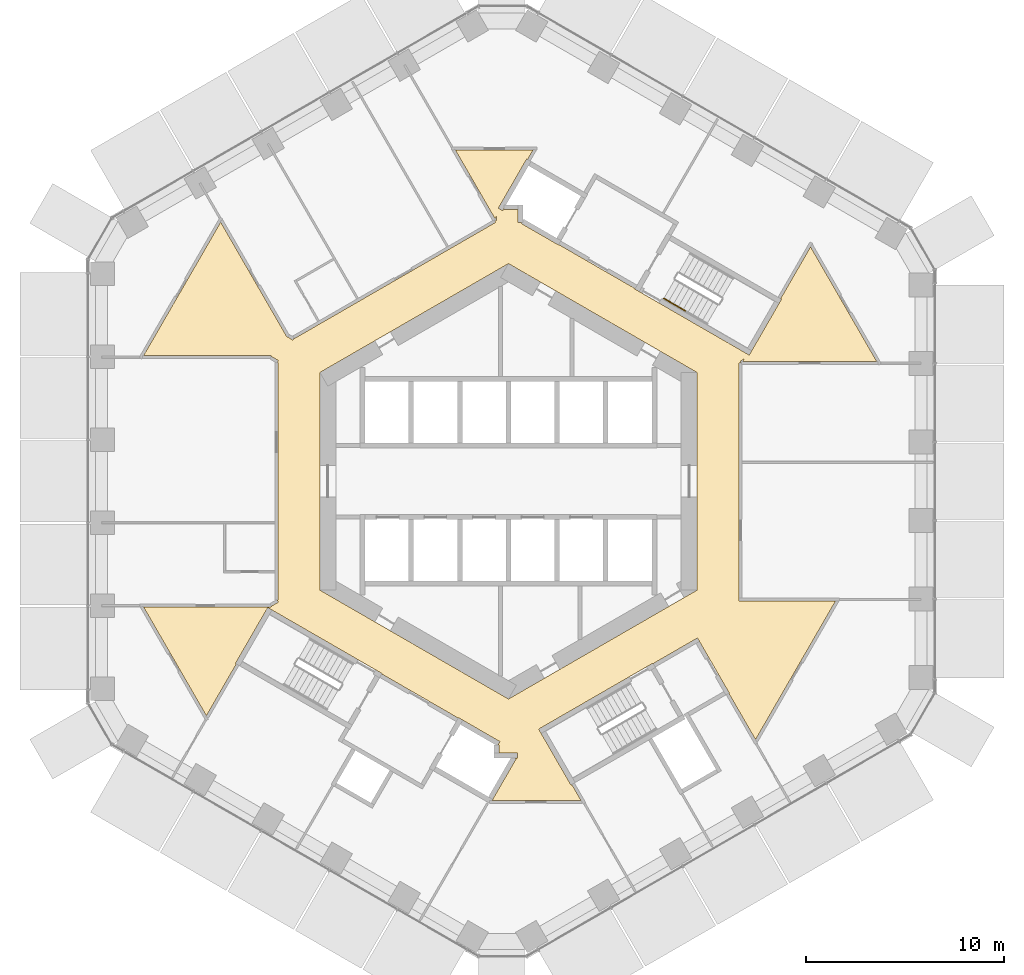
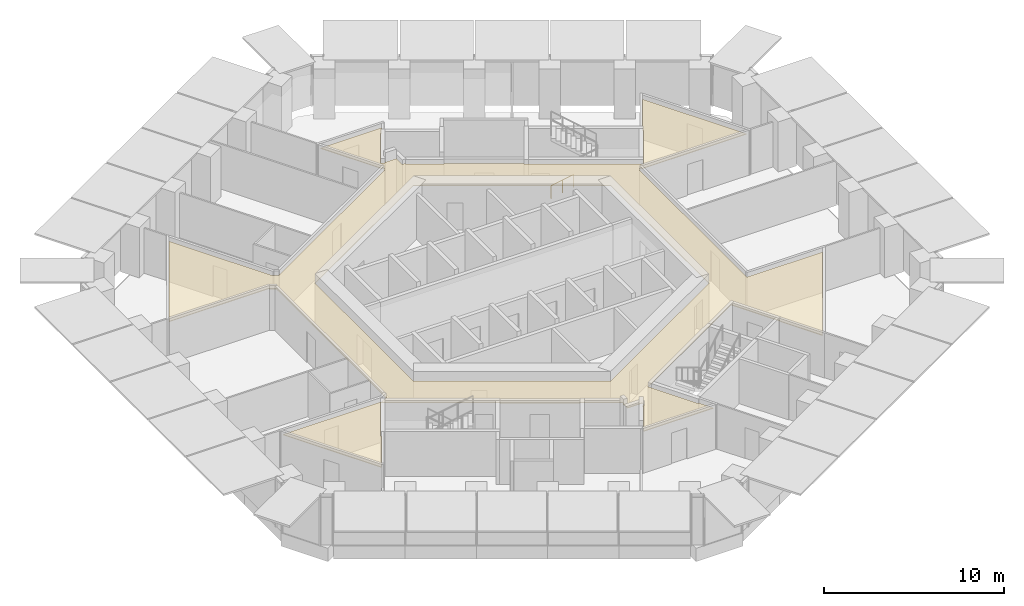
# One storey, part 18 of 19: 1 covering, 1 railing.
"""IFC4 building model written with IfcOpenShell, lengths in metres."""

from ifc_helpers import new_model, si_unit, direction, frame, origin, origin_2d, place, context, subcontext, project, spatial, polyline, circle, outline, extrude, material, layer, layer_set, type_object, element, save


model = new_model("IFC4")

# Units and contexts
model_context = context("Model", 3, precision=1e-05, world=origin(), true_north=direction((0.0, 1.0)))
body_context = subcontext(model_context, "Body", "Model", "MODEL_VIEW")
ifc_project = project(units=[si_unit("LENGTHUNIT", "METRE"), si_unit("AREAUNIT", "SQUARE_METRE"), si_unit("VOLUMEUNIT", "CUBIC_METRE"), si_unit("PLANEANGLEUNIT", "RADIAN"), si_unit("MASSUNIT", "GRAM", prefix="KILO")], contexts=[model_context])

# Site, building, storey
site_placement = place(None, origin())
site = spatial("IfcSite", under=ifc_project, at=site_placement, CompositionType="ELEMENT")
building_placement = place(site_placement, origin())
building = spatial("IfcBuilding", under=site, at=building_placement, Name="Ayvan Gate Tower", CompositionType="ELEMENT")
storey_placement = place(building_placement, frame((0.0, 0.0, 42.5)))
storey = spatial("IfcBuildingStorey", under=building, at=storey_placement, Name="L10", CompositionType="ELEMENT", Elevation=42.5)

# Covering
ifc_material_1 = material(Name="Plasterboard suspended ceiling")
ifc_layer = layer(ifc_material_1, 0.050048828125)
ifc_layer_set = layer_set([ifc_layer], Name="Plasterboard suspended ceiling")
covering_type = type_object("IfcCoveringType", Name="CT-SUSP-50", PredefinedType="CEILING", material=ifc_layer_set)
covering_placement = place(storey_placement, frame((0.0, 0.0, 2.699951171875)))
element("IfcCovering", 1, at=covering_placement, inside=storey, type_object=covering_type, Name="Ceiling Ring Corridor L10", PredefinedType="CEILING", context=body_context, shape_type="SweptSolid", body=[
    extrude(outline(polyline([(-11.973876953125, -6.306640625), (-11.597412109375, -6.089599609375), (-11.656494140625, -5.9873046875), (-11.625, -5.9873046875), (-11.625, 5.9873046875), (-11.656494140625, 5.9873046875), (-11.597412109375, 6.089599609375), (-11.9462890625, 6.291015625), (-11.973876953125, 6.24365234375), (-11.973876953125, 6.338623046875), (-18.38330078125, 6.338623046875), (-14.5029296875, 13.059326171875), (-11.16015625, 7.26953125), (-11.134521484375, 7.2841796875), (-10.87060546875, 7.116943359375), (-10.80615234375, 7.218505859375), (-10.791259765625, 7.193115234375), (-0.655029296875, 13.045166015625), (-0.692626953125, 13.110107421875), (-0.60009765625, 13.16357421875), (-0.60009765625, 13.36083984375), (-0.67529296875, 13.230224609375), (-2.672607421875, 16.689697265625), (1.2353515625, 16.689697265625), (0.962158203125, 16.216552734375), (0.918701171875, 16.241455078125), (-0.511474609375, 13.76416015625), (-0.294921875, 13.63916015625), (-0.215576171875, 13.776611328125), (-0.215576171875, 13.68505859375), (0.47509765625, 13.68505859375), (0.47509765625, 13.03857421875), (0.672119140625, 13.03857421875), (0.645751953125, 12.992919921875), (2.518310546875, 11.91162109375), (2.53076171875, 11.933349609375), (6.384521484375, 9.70849609375), (6.3720703125, 9.686767578125), (6.588623046875, 9.561767578125), (12.131103515625, 6.36181640625), (12.24609375, 6.56103515625), (13.631103515625, 8.959716796875), (13.756103515625, 9.176513671875), (13.712890625, 9.201416015625), (15.2216796875, 11.814697265625), (18.561279296875, 6.0302734375), (11.79541015625, 6.0302734375), (11.870849609375, 6.160888671875), (11.699951171875, 6.062255859375), (11.699951171875, 5.955322265625), (11.625, 5.955322265625), (11.625, -6.0302734375), (16.48291015625, -6.0302734375), (12.4501953125, -13.014404296875), (11.102294921875, -10.6796875), (11.123779296875, -10.667236328125), (9.623779296875, -8.069091796875), (9.52392578125, -7.89599609375), (7.2939453125, -9.183349609375), (7.281494140625, -9.16162109375), (1.522216796875, -12.48681640625), (1.647216796875, -12.703369140625), (3.147216796875, -15.30126953125), (3.190673828125, -15.2763671875), (3.66015625, -16.089599609375), (-0.831298828125, -16.089599609375), (-0.803955078125, -16.042236328125), (0.386474609375, -13.980712890625), (0.30712890625, -13.93505859375), (0.465576171875, -13.93505859375), (0.465576171875, -13.68505859375), (-0.47509765625, -13.68505859375), (-0.47509765625, -13.28857421875), (-0.52783203125, -13.28857421875), (-0.42919921875, -13.117919921875), (-2.284423828125, -12.046630859375), (-2.518310546875, -11.91162109375), (-2.53076171875, -11.933349609375), (-6.384521484375, -9.70849609375), (-6.3720703125, -9.686767578125), (-11.897216796875, -6.49658203125), (-12.131103515625, -6.36181640625), (-13.756103515625, -9.17626953125), (-13.712890625, -9.201416015625), (-15.2216796875, -11.814697265625), (-18.38330078125, -6.338623046875), (-11.973876953125, -6.338623046875), (-11.973876953125, -6.306640625)]), holes=[polyline([(-2.808349609375, -9.34814453125), (0.0, -10.9697265625), (2.808349609375, -9.34814453125), (9.5, -5.48486328125), (9.5, 5.48486328125), (2.808349609375, 9.34814453125), (0.0, 10.9697265625), (-2.808349609375, 9.34814453125), (-9.5, 5.48486328125), (-9.5, -5.48486328125), (-2.808349609375, -9.34814453125)])]), origin(), (0.0, 0.0, 1.0), 0.050048828125),
])

# Railing
ifc_material_2 = material(Name="Stainless steel balustrade", Category="steel")
railing_type = type_object("IfcRailingType", Name="RL-HANDRAIL-900", PredefinedType="HANDRAIL", material=ifc_material_2)
railing_placement = place(storey_placement, frame((7.8310546875, 9.2138671875, 0.169921875)))
element("IfcRailing", 2, at=railing_placement, inside=storey, type_object=railing_type, Name="L10 STS1 stair handrail 1", PredefinedType="HANDRAIL", context=body_context, shape_type="SweptSolid", body=[
    extrude(circle(Radius=0.02392578125, at=origin_2d()), frame((0.0, 0.0, 0.8759765625), z_axis=(0.740292964666, -0.42728318766, 0.519033143459), x_axis=(0.499890179513, 0.866088799389, 0.0)), (0.0, 0.0, 1.0), 1.47412109375),
    extrude(circle(Radius=0.02099609375, at=origin_2d()), origin(), (0.0, 0.0, 1.0), 0.851806640625),
    extrude(circle(Radius=0.02099609375, at=origin_2d()), frame((0.545654296875, -0.31494140625, 0.382568359375)), (0.0, 0.0, 1.0), 0.851806640625),
    extrude(circle(Radius=0.02099609375, at=origin_2d()), frame((1.09130859375, -0.6298828125, 0.76513671875)), (0.0, 0.0, 1.0), 0.851806640625),
])

save(model, "model.ifc")
